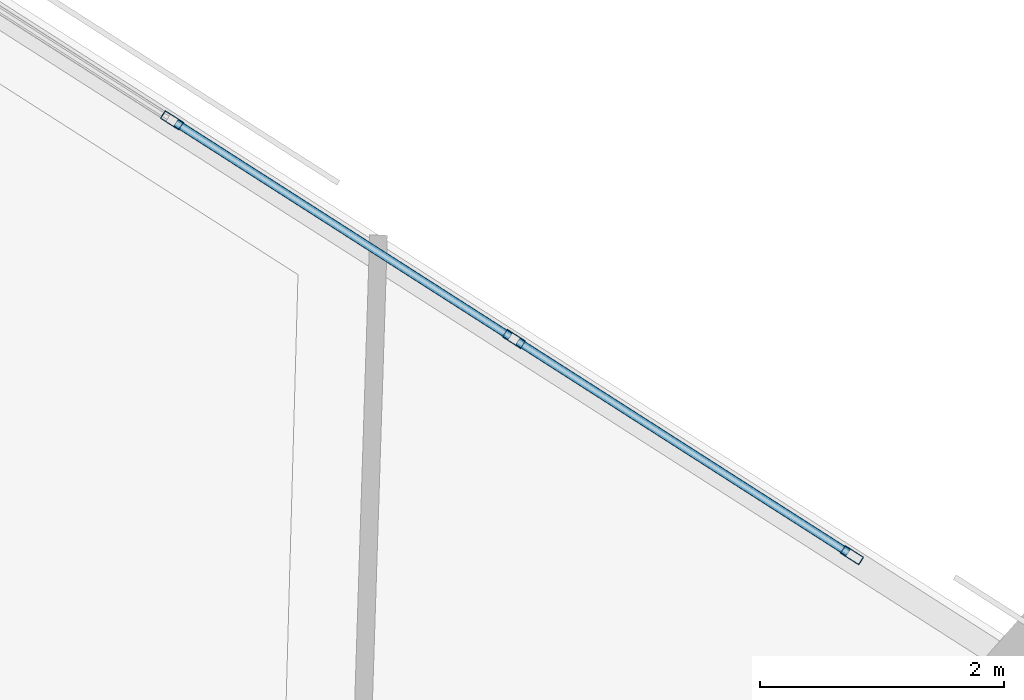
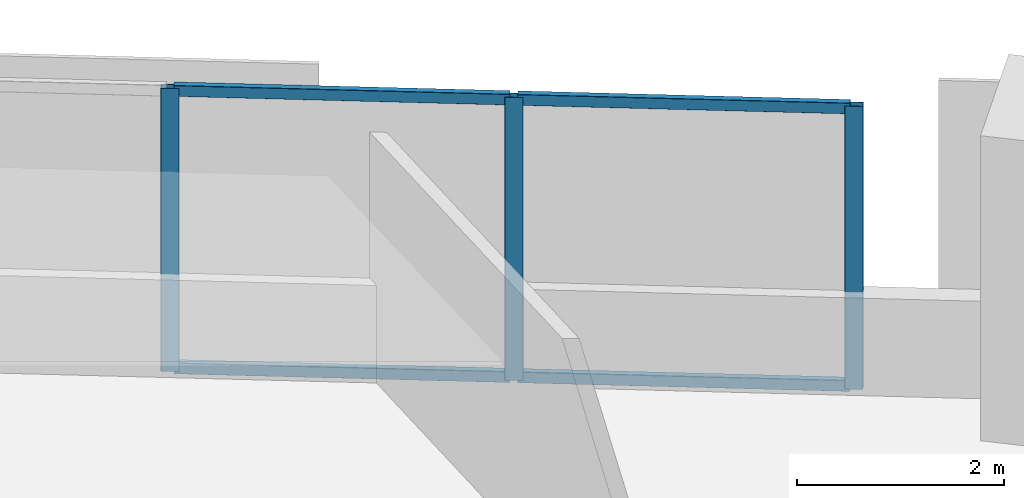
# One storey, part 10 of 16: 7 members, 1 element without a shape of its own.
"""IFC4 building model written with IfcOpenShell, lengths in metres."""

from ifc_helpers import new_model, si_unit, direction, frame, origin, origin_2d, place, context, subcontext, project, spatial, hollow_rectangle, extrude, material, material_profile, profile_set, type_object, element, aggregate, save


model = new_model("IFC4")

# Units and contexts
model_context = context("Model", 3, precision=1e-05, world=origin(), true_north=direction((0.0, 1.0)))
body_context = subcontext(model_context, "Body", "Model", "MODEL_VIEW")
ifc_project = project(units=[si_unit("LENGTHUNIT", "METRE"), si_unit("AREAUNIT", "SQUARE_METRE"), si_unit("VOLUMEUNIT", "CUBIC_METRE"), si_unit("PLANEANGLEUNIT", "RADIAN"), si_unit("MASSUNIT", "GRAM", prefix="KILO")], contexts=[model_context])

# Site, building, storey
site_placement = place(None, origin())
site = spatial("IfcSite", under=ifc_project, at=site_placement, CompositionType="ELEMENT")
building_placement = place(site_placement, origin())
building = spatial("IfcBuilding", under=site, at=building_placement, Name="Narakoshi Arena Tower", CompositionType="ELEMENT")
storey_placement = place(building_placement, frame((0.0, 0.0, 84.89990234375)))
storey = spatial("IfcBuildingStorey", under=building, at=storey_placement, Name="L22", CompositionType="ELEMENT", Elevation=84.89990234375)

# Curtain wall, members
ifc_material = material(Name="Anodised bronze aluminium 6063-T6", Category="aluminium")
curtain_wall_type = type_object("IfcCurtainWallType", Name="CW-HYP-LOW", PredefinedType="NOTDEFINED", material=ifc_material)
curtain_wall_placement = place(storey_placement, origin())
curtain_wall = element("IfcCurtainWall", 1, at=curtain_wall_placement, inside=storey, type_object=curtain_wall_type, Name="L22 Folded Hypotenuse Curtain Wall 2-2", PredefinedType="NOTDEFINED")
ifc_material_profile_1 = material_profile(ifc_material, hollow_rectangle(XDim=0.074951171875, YDim=0.179931640625, WallThickness=0.00390625, OuterFilletRadius=0.0048828125, at=origin_2d()), Name="MUL180x75x4")
ifc_profile_set_1 = profile_set([ifc_material_profile_1], Name="Anodised bronze aluminium 6063-T6")
member_type_1 = type_object("IfcMemberType", Name="MEM-MUL-180", PredefinedType="MULLION", material=ifc_profile_set_1)
member_1_placement = place(storey_placement, frame((83.41943359375, 66.22705078125, 0.0), z_axis=(0.0, 0.0, 1.0), x_axis=(-0.538829098714, -0.842415100992, 0.0)))
member_1 = element("IfcMember", 2, at=member_1_placement, type_object=member_type_1, Name="CW-01 mullion 1", PredefinedType="MULLION", context=body_context, shape_type="SweptSolid", body=[
    extrude(hollow_rectangle(XDim=0.074951171875, YDim=0.179931640625, WallThickness=0.00390625, OuterFilletRadius=0.0048828125, at=origin_2d()), origin(), (0.0, 0.0, 1.0), 3.340087890625),
])
member_2_placement = place(storey_placement, frame((80.6474609375, 68.000244140625, 0.0), z_axis=(0.0, 0.0, 1.0), x_axis=(-0.538829098714, -0.842415100992, 0.0)))
member_2 = element("IfcMember", 3, at=member_2_placement, type_object=member_type_1, Name="CW-01 mullion 2", PredefinedType="MULLION", context=body_context, shape_type="SweptSolid", body=[
    extrude(hollow_rectangle(XDim=0.074951171875, YDim=0.179931640625, WallThickness=0.00390625, OuterFilletRadius=0.0048828125, at=origin_2d()), origin(), (0.0, 0.0, 1.0), 3.340087890625),
])
member_3_placement = place(storey_placement, frame((77.843505859375, 69.79345703125, 0.0), z_axis=(0.0, 0.0, 1.0), x_axis=(-0.538829098714, -0.842415100992, 0.0)))
member_3 = element("IfcMember", 4, at=member_3_placement, type_object=member_type_1, Name="CW-01 mullion 3", PredefinedType="MULLION", context=body_context, shape_type="SweptSolid", body=[
    extrude(hollow_rectangle(XDim=0.074951171875, YDim=0.179931640625, WallThickness=0.00390625, OuterFilletRadius=0.0048828125, at=origin_2d()), origin(), (0.0, 0.0, 1.0), 3.340087890625),
])
ifc_material_profile_2 = material_profile(ifc_material, hollow_rectangle(XDim=0.06494140625, YDim=0.1298828125, WallThickness=0.00390625, OuterFilletRadius=0.0048828125, at=origin_2d()), Name="TRN130x65x4")
ifc_profile_set_2 = profile_set([ifc_material_profile_2], Name="Anodised bronze aluminium 6063-T6")
member_type_2 = type_object("IfcMemberType", Name="MEM-TRN-130", PredefinedType="USERDEFINED", material=ifc_profile_set_2)
member_4_placement = place(storey_placement, frame((83.387939453125, 66.247314453125, 0.03271484375), z_axis=(-0.842424416084, 0.538814535053, 0.0), x_axis=(-0.538814535053, -0.842424416084, 0.0)))
member_4 = element("IfcMember", 5, at=member_4_placement, type_object=member_type_2, Name="CW-01 transom 1.1", ObjectType="TRANSOM", PredefinedType="USERDEFINED", context=body_context, shape_type="SweptSolid", body=[
    extrude(hollow_rectangle(XDim=0.06494140625, YDim=0.1298828125, WallThickness=0.00390625, OuterFilletRadius=0.0048828125, at=origin_2d()), origin(), (0.0, 0.0, 1.0), 3.2158203125),
])
member_5_placement = place(storey_placement, frame((83.387939453125, 66.247314453125, 3.3076171875), z_axis=(-0.842424416084, 0.538814535053, 0.0), x_axis=(-0.538814535053, -0.842424416084, 0.0)))
member_5 = element("IfcMember", 6, at=member_5_placement, type_object=member_type_2, Name="CW-01 transom 1.2", ObjectType="TRANSOM", PredefinedType="USERDEFINED", context=body_context, shape_type="SweptSolid", body=[
    extrude(hollow_rectangle(XDim=0.06494140625, YDim=0.1298828125, WallThickness=0.00390625, OuterFilletRadius=0.0048828125, at=origin_2d()), origin(), (0.0, 0.0, 1.0), 3.2158203125),
])
member_6_placement = place(storey_placement, frame((80.61572265625, 68.020263671875, 0.03271484375), z_axis=(-0.842407668774, 0.5388407182, 0.0), x_axis=(-0.5388407182, -0.842407668774, 0.0)))
member_6 = element("IfcMember", 7, at=member_6_placement, type_object=member_type_2, Name="CW-01 transom 2.1", ObjectType="TRANSOM", PredefinedType="USERDEFINED", context=body_context, shape_type="SweptSolid", body=[
    extrude(hollow_rectangle(XDim=0.06494140625, YDim=0.1298828125, WallThickness=0.00390625, OuterFilletRadius=0.0048828125, at=origin_2d()), origin(), (0.0, 0.0, 1.0), 3.253173828125),
])
member_7_placement = place(storey_placement, frame((80.61572265625, 68.020263671875, 3.3076171875), z_axis=(-0.842407668774, 0.5388407182, 0.0), x_axis=(-0.5388407182, -0.842407668774, 0.0)))
member_7 = element("IfcMember", 8, at=member_7_placement, type_object=member_type_2, Name="CW-01 transom 2.2", ObjectType="TRANSOM", PredefinedType="USERDEFINED", context=body_context, shape_type="SweptSolid", body=[
    extrude(hollow_rectangle(XDim=0.06494140625, YDim=0.1298828125, WallThickness=0.00390625, OuterFilletRadius=0.0048828125, at=origin_2d()), origin(), (0.0, 0.0, 1.0), 3.253173828125),
])
aggregate(curtain_wall, [member_1, member_2, member_3, member_4, member_5, member_6, member_7])

save(model, "model.ifc")
